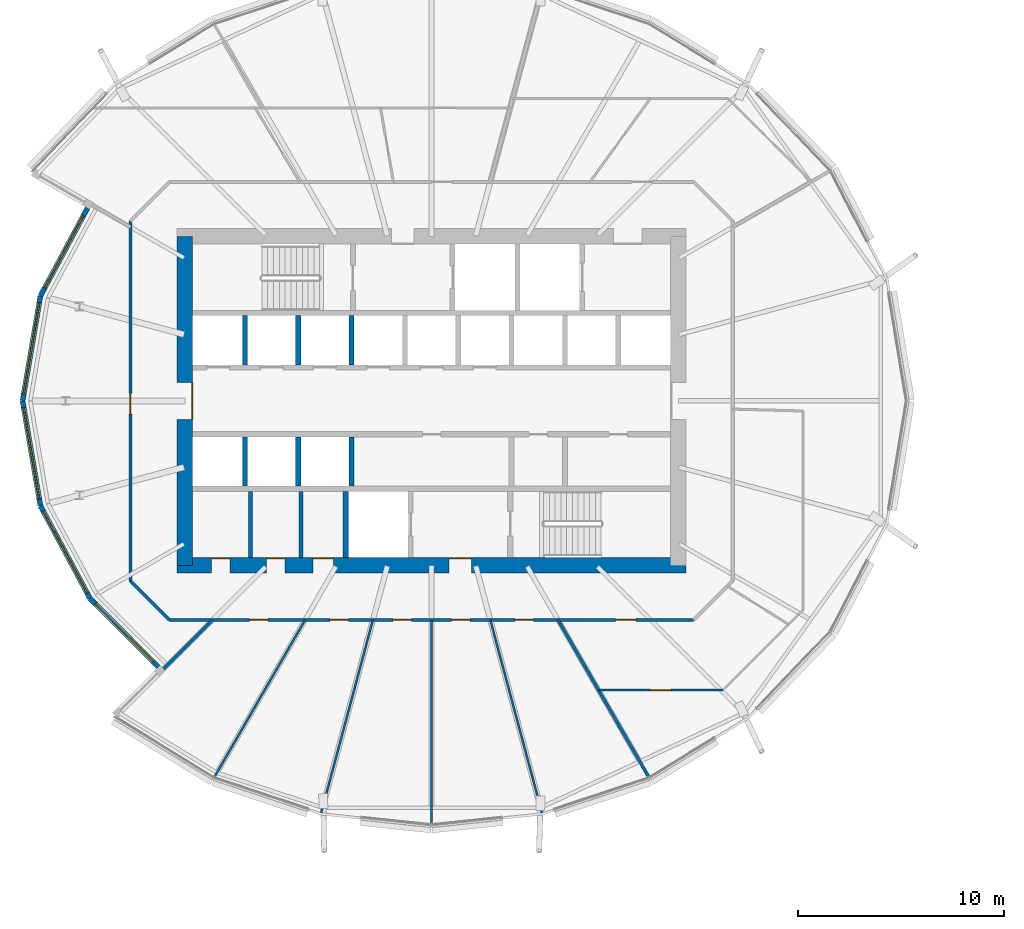
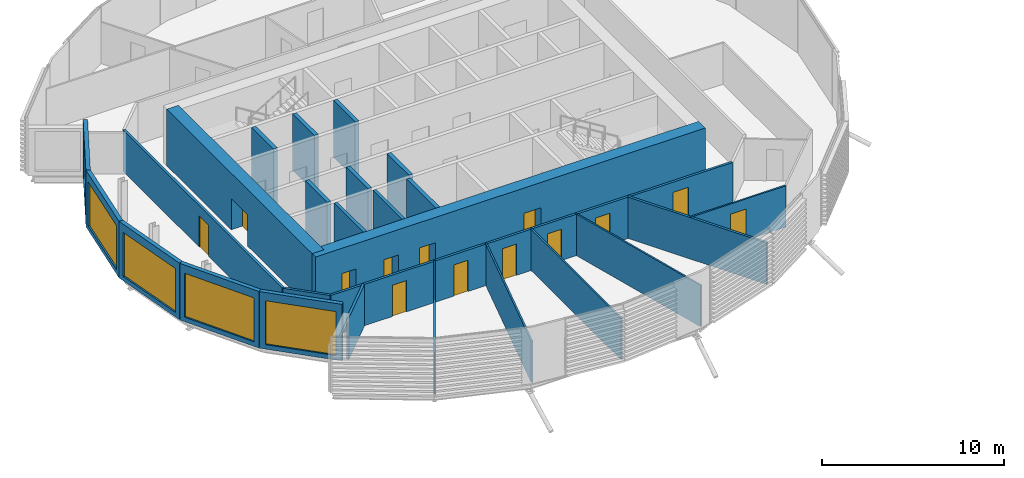
# One storey, part 20 of 38: 26 walls, 13 doors, 5 windows, 18 openings.
"""IFC4 building model written with IfcOpenShell, lengths in metres."""

from ifc_helpers import new_model, si_unit, direction, frame, frame_2d, origin, place, context, subcontext, project, spatial, rectangle, extrude, material, layer, layer_set, type_object, element, fill, save


model = new_model("IFC4")

# Units and contexts
model_context = context("Model", 3, precision=1e-05, world=origin(), true_north=direction((0.0, 1.0)))
body_context = subcontext(model_context, "Body", "Model", "MODEL_VIEW")
ifc_project = project(units=[si_unit("LENGTHUNIT", "METRE"), si_unit("AREAUNIT", "SQUARE_METRE"), si_unit("VOLUMEUNIT", "CUBIC_METRE"), si_unit("PLANEANGLEUNIT", "RADIAN"), si_unit("MASSUNIT", "GRAM", prefix="KILO")], contexts=[model_context])

# Site, building, storey
site_placement = place(None, origin())
site = spatial("IfcSite", under=ifc_project, at=site_placement, CompositionType="ELEMENT")
building_placement = place(site_placement, origin())
building = spatial("IfcBuilding", under=site, at=building_placement, Name="Rimbun Link Towers", CompositionType="ELEMENT")
storey_placement = place(building_placement, frame((0.0, 0.0, 119.60009765625)))
storey = spatial("IfcBuildingStorey", under=building, at=storey_placement, Name="L29", CompositionType="ELEMENT", Elevation=119.60009765625)

# Wall, opening, window
ifc_material_1 = material(Name="Dark enamelled glass spandrel on insulated aluminium backpan", Category="aluminium")
ifc_layer_1 = layer(ifc_material_1, 0.25)
ifc_layer_set_1 = layer_set([ifc_layer_1], Name="CS dark enamelled spandrel wall 250")
wall_type_1 = type_object("IfcWallType", Name="CS dark enamelled spandrel wall 250", PredefinedType="STANDARD", material=ifc_layer_set_1)
wall_1_placement = place(storey_placement, frame((-50.779541015625, 5.10791015625, 0.0), z_axis=(0.0, 0.0, 1.0), x_axis=(0.472277359542, 0.881449996122, 0.0)))
wall_1 = element("IfcWall", 1, at=wall_1_placement, inside=storey, type_object=wall_type_1, Name="Crease spandrel wall", PredefinedType="STANDARD", context=body_context, shape_type="SweptSolid", body=[
    extrude(rectangle(XDim=4.84375, YDim=0.25, at=frame_2d((2.421875, 0.0))), origin(), (0.0, 0.0, 1.0), 3.7998046875),
])
opening_1_placement = place(wall_1_placement, frame((0.421875, 0.0, 0.300048828125)))
opening_1 = element("IfcOpeningElement", 2, at=opening_1_placement, cuts=wall_1, Name="Opening WR40H295", PredefinedType="OPENING", context=body_context, shape_type="SweptSolid", body=[
    extrude(rectangle(XDim=4.0, YDim=2.949951171875, at=frame_2d((2.0, 1.47509765625))), frame((0.0, 0.135009765625, 0.0), z_axis=(0.0, -1.0, 0.0), x_axis=(1.0, 0.0, 0.0)), (0.0, 0.0, 1.0), 0.27001953125),
])
ifc_material_2 = material(Name="Aluminium framed fixed window, dark tinted low-e glass", Category="aluminium")
window_type_1 = type_object("IfcWindowType", Name="WR ribbon window 4000X2950", PartitioningType="SINGLE_PANEL", PredefinedType="WINDOW", material=ifc_material_2)
window_1_placement = place(opening_1_placement, origin())
window_1 = element("IfcWindow", 3, at=window_1_placement, inside=storey, type_object=window_type_1, Name="Crease ribbon window", OverallHeight=2.949951171875, OverallWidth=4.0, PartitioningType="SINGLE_PANEL", PredefinedType="WINDOW", context=body_context, shape_type="SweptSolid", body=[
    extrude(rectangle(XDim=4.0, YDim=2.949951171875, at=frame_2d((2.0, 1.47509765625))), frame((0.0, 0.030029296875, 0.0), z_axis=(0.0, -1.0, 0.0), x_axis=(1.0, 0.0, 0.0)), (0.0, 0.0, 1.0), 0.06005859375),
])
fill(opening_1, window_1)

wall_2_placement = place(storey_placement, frame((-51.647705078125, 0.0, 0.0), z_axis=(0.0, 0.0, 1.0), x_axis=(0.167561603855, 0.985861607384, 0.0)))
wall_2 = element("IfcWall", 4, at=wall_2_placement, inside=storey, type_object=wall_type_1, Name="Crease spandrel wall", PredefinedType="STANDARD", context=body_context, shape_type="SweptSolid", body=[
    extrude(rectangle(XDim=5.18115234375, YDim=0.25, at=frame_2d((2.590576171875, 0.0))), origin(), (0.0, 0.0, 1.0), 3.7998046875),
])
opening_2_placement = place(wall_2_placement, frame((0.340576171875, 0.0, 0.300048828125)))
opening_2 = element("IfcOpeningElement", 5, at=opening_2_placement, cuts=wall_2, Name="Opening WR45H295", PredefinedType="OPENING", context=body_context, shape_type="SweptSolid", body=[
    extrude(rectangle(XDim=4.5, YDim=2.949951171875, at=frame_2d((2.25, 1.47509765625))), frame((0.0, 0.135009765625, 0.0), z_axis=(0.0, -1.0, 0.0), x_axis=(1.0, 0.0, 0.0)), (0.0, 0.0, 1.0), 0.27001953125),
])
ifc_material_3 = material(Name="Aluminium framed fixed window, dark tinted low-e glass", Category="aluminium")
window_type_2 = type_object("IfcWindowType", Name="WR ribbon window 4500X2950", PartitioningType="SINGLE_PANEL", PredefinedType="WINDOW", material=ifc_material_3)
window_2_placement = place(opening_2_placement, origin())
window_2 = element("IfcWindow", 6, at=window_2_placement, inside=storey, type_object=window_type_2, Name="Crease ribbon window", OverallHeight=2.949951171875, OverallWidth=4.5, PartitioningType="SINGLE_PANEL", PredefinedType="WINDOW", context=body_context, shape_type="SweptSolid", body=[
    extrude(rectangle(XDim=4.5, YDim=2.949951171875, at=frame_2d((2.25, 1.47509765625))), frame((0.0, 0.030029296875, 0.0), z_axis=(0.0, -1.0, 0.0), x_axis=(1.0, 0.0, 0.0)), (0.0, 0.0, 1.0), 0.06005859375),
])
fill(opening_2, window_2)

wall_3_placement = place(storey_placement, frame((-50.779541015625, -5.10791015625, 0.0), z_axis=(0.0, 0.0, 1.0), x_axis=(-0.167561603855, 0.985861607384, 0.0)))
wall_3 = element("IfcWall", 7, at=wall_3_placement, inside=storey, type_object=wall_type_1, Name="Crease spandrel wall", PredefinedType="STANDARD", context=body_context, shape_type="SweptSolid", body=[
    extrude(rectangle(XDim=5.18115234375, YDim=0.25, at=frame_2d((2.590576171875, 0.0))), origin(), (0.0, 0.0, 1.0), 3.7998046875),
])
opening_3_placement = place(wall_3_placement, frame((0.340576171875, 0.0, 0.300048828125)))
opening_3 = element("IfcOpeningElement", 8, at=opening_3_placement, cuts=wall_3, Name="Opening WR45H295", PredefinedType="OPENING", context=body_context, shape_type="SweptSolid", body=[
    extrude(rectangle(XDim=4.5, YDim=2.949951171875, at=frame_2d((2.25, 1.47509765625))), frame((0.0, 0.135009765625, 0.0), z_axis=(0.0, -1.0, 0.0), x_axis=(1.0, 0.0, 0.0)), (0.0, 0.0, 1.0), 0.27001953125),
])
window_3_placement = place(opening_3_placement, origin())
window_3 = element("IfcWindow", 9, at=window_3_placement, inside=storey, type_object=window_type_2, Name="Crease ribbon window", OverallHeight=2.949951171875, OverallWidth=4.5, PartitioningType="SINGLE_PANEL", PredefinedType="WINDOW", context=body_context, shape_type="SweptSolid", body=[
    extrude(rectangle(XDim=4.5, YDim=2.949951171875, at=frame_2d((2.25, 1.47509765625))), frame((0.0, 0.030029296875, 0.0), z_axis=(0.0, -1.0, 0.0), x_axis=(1.0, 0.0, 0.0)), (0.0, 0.0, 1.0), 0.06005859375),
])
fill(opening_3, window_3)

wall_4_placement = place(storey_placement, frame((-48.3671875, -9.610595703125, 0.0), z_axis=(0.0, 0.0, 1.0), x_axis=(-0.472251916987, 0.881463627668, 0.0)))
wall_4 = element("IfcWall", 10, at=wall_4_placement, inside=storey, type_object=wall_type_1, Name="Crease spandrel wall", PredefinedType="STANDARD", context=body_context, shape_type="SweptSolid", body=[
    extrude(rectangle(XDim=5.108154296875, YDim=0.25, at=frame_2d((2.55419921875, 0.0))), origin(), (0.0, 0.0, 1.0), 3.7998046875),
])
opening_4_placement = place(wall_4_placement, frame((0.303955078125, 0.0, 0.300048828125)))
opening_4 = element("IfcOpeningElement", 11, at=opening_4_placement, cuts=wall_4, Name="Opening WR45H295", PredefinedType="OPENING", context=body_context, shape_type="SweptSolid", body=[
    extrude(rectangle(XDim=4.5, YDim=2.949951171875, at=frame_2d((2.25, 1.47509765625))), frame((0.0, 0.135009765625, 0.0), z_axis=(0.0, -1.0, 0.0), x_axis=(1.0, 0.0, 0.0)), (0.0, 0.0, 1.0), 0.27001953125),
])
window_4_placement = place(opening_4_placement, origin())
window_4 = element("IfcWindow", 12, at=window_4_placement, inside=storey, type_object=window_type_2, Name="Crease ribbon window", OverallHeight=2.949951171875, OverallWidth=4.5, PartitioningType="SINGLE_PANEL", PredefinedType="WINDOW", context=body_context, shape_type="SweptSolid", body=[
    extrude(rectangle(XDim=4.5, YDim=2.949951171875, at=frame_2d((2.25, 1.47509765625))), frame((0.0, 0.030029296875, 0.0), z_axis=(0.0, -1.0, 0.0), x_axis=(1.0, 0.0, 0.0)), (0.0, 0.0, 1.0), 0.06005859375),
])
fill(opening_4, window_4)

wall_5_placement = place(storey_placement, frame((-45.047119140625, -12.943359375, 0.0), z_axis=(0.0, 0.0, 1.0), x_axis=(-0.705756154821, 0.708454832669, 0.0)))
wall_5 = element("IfcWall", 13, at=wall_5_placement, inside=storey, type_object=wall_type_1, Name="Crease spandrel wall", PredefinedType="STANDARD", context=body_context, shape_type="SweptSolid", body=[
    extrude(rectangle(XDim=4.704345703125, YDim=0.25, at=frame_2d((2.35205078125, 0.0))), origin(), (0.0, 0.0, 1.0), 3.7998046875),
])
opening_5_placement = place(wall_5_placement, frame((0.352294921875, 0.0, 0.300048828125)))
opening_5 = element("IfcOpeningElement", 14, at=opening_5_placement, cuts=wall_5, Name="Opening WR40H295", PredefinedType="OPENING", context=body_context, shape_type="SweptSolid", body=[
    extrude(rectangle(XDim=4.0, YDim=2.949951171875, at=frame_2d((2.0, 1.47509765625))), frame((0.0, 0.135009765625, 0.0), z_axis=(0.0, -1.0, 0.0), x_axis=(1.0, 0.0, 0.0)), (0.0, 0.0, 1.0), 0.27001953125),
])
window_5_placement = place(opening_5_placement, origin())
window_5 = element("IfcWindow", 15, at=window_5_placement, inside=storey, type_object=window_type_1, Name="Crease ribbon window", OverallHeight=2.949951171875, OverallWidth=4.0, PartitioningType="SINGLE_PANEL", PredefinedType="WINDOW", context=body_context, shape_type="SweptSolid", body=[
    extrude(rectangle(XDim=4.0, YDim=2.949951171875, at=frame_2d((2.0, 1.47509765625))), frame((0.0, 0.030029296875, 0.0), z_axis=(0.0, -1.0, 0.0), x_axis=(1.0, 0.0, 0.0)), (0.0, 0.0, 1.0), 0.06005859375),
])
fill(opening_5, window_5)

# Walls
ifc_material_4 = material(Name="Masonry blockwork", Category="masonry")
ifc_layer_2 = layer(ifc_material_4, 0.199951171875)
ifc_layer_set_2 = layer_set([ifc_layer_2], Name="Core partition 200")
wall_type_2 = type_object("IfcWallType", Name="Core partition 200", PredefinedType="PARTITIONING", material=ifc_layer_set_2)
for number, where, z_axis, x_axis, name in (
    (16, (-40.550048828125, -4.39990234375, 0.0), (0.0, 0.0, 1.0), (0.0, -1.0, 0.0), "L29 T1 core wall C1"),
    (17, (-38.10009765625, -4.39990234375, 0.0), (0.0, 0.0, 1.0), (0.0, -1.0, 0.0), "L29 T1 core wall C2"),
):
    element("IfcWall", number, at=place(storey_placement, frame(where, z_axis=z_axis, x_axis=x_axis)), inside=storey, type_object=wall_type_2, Name=name, PredefinedType="PARTITIONING", context=body_context, shape_type="SweptSolid", body=[
        extrude(rectangle(XDim=3.22509765625, YDim=0.199951171875, at=frame_2d((1.612548828125, 0.0))), origin(), (0.0, 0.0, 1.0), 3.7998046875),
    ])

# Wall, openings, doors
ifc_material_5 = material(Name="Concrete C60/75", Category="concrete")
ifc_layer_3 = layer(ifc_material_5, 0.75)
ifc_layer_set_3 = layer_set([ifc_layer_3], Name="Core shear wall 750")
wall_type_3 = type_object("IfcWallType", Name="Core shear wall 750", PredefinedType="SHEAR", material=ifc_layer_set_3)
wall_6_placement = place(storey_placement, frame((-44.125, -8.0, 0.0), z_axis=(0.0, 0.0, 1.0), x_axis=(1.0, 0.0, 0.0)))
wall_6 = element("IfcWall", 18, at=wall_6_placement, inside=storey, type_object=wall_type_3, Name="L29 T1 core wall S", PredefinedType="SHEAR", context=body_context, shape_type="SweptSolid", body=[
    extrude(rectangle(XDim=24.75, YDim=0.75, at=frame_2d((12.375, 0.0))), origin(), (0.0, 0.0, 1.0), 3.7998046875),
])
opening_6_placement = place(wall_6_placement, frame((13.22509765625, 0.0, 0.0)))
opening_6 = element("IfcOpeningElement", 19, at=opening_6_placement, cuts=wall_6, Name="Opening C1DCF01S", PredefinedType="OPENING", context=body_context, shape_type="SweptSolid", body=[
    extrude(rectangle(XDim=1.10009765625, YDim=2.10009765625, at=frame_2d((0.550048828125, 1.050048828125))), frame((0.0, 0.385009765625, 0.0), z_axis=(0.0, -1.0, 0.0), x_axis=(1.0, 0.0, 0.0)), (0.0, 0.0, 1.0), 0.77001953125),
])
opening_7_placement = place(wall_6_placement, frame((1.66259765625, 0.0, 0.0)))
opening_7 = element("IfcOpeningElement", 20, at=opening_7_placement, cuts=wall_6, Name="Opening C1DWC02S", PredefinedType="OPENING", context=body_context, shape_type="SweptSolid", body=[
    extrude(rectangle(XDim=0.89990234375, YDim=2.10009765625, at=frame_2d((0.449951171875, 1.050048828125))), frame((0.0, 0.385009765625, 0.0), z_axis=(0.0, -1.0, 0.0), x_axis=(1.0, 0.0, 0.0)), (0.0, 0.0, 1.0), 0.77001953125),
])
opening_8_placement = place(wall_6_placement, frame((4.35009765625, 0.0, 0.0)))
opening_8 = element("IfcOpeningElement", 21, at=opening_8_placement, cuts=wall_6, Name="Opening C1DWC03S", PredefinedType="OPENING", context=body_context, shape_type="SweptSolid", body=[
    extrude(rectangle(XDim=0.89990234375, YDim=2.10009765625, at=frame_2d((0.449951171875, 1.050048828125))), frame((0.0, 0.385009765625, 0.0), z_axis=(0.0, -1.0, 0.0), x_axis=(1.0, 0.0, 0.0)), (0.0, 0.0, 1.0), 0.77001953125),
])
opening_9_placement = place(wall_6_placement, frame((6.60009765625, 0.0, 0.0)))
opening_9 = element("IfcOpeningElement", 22, at=opening_9_placement, cuts=wall_6, Name="Opening C1DAW04S", PredefinedType="OPENING", context=body_context, shape_type="SweptSolid", body=[
    extrude(rectangle(XDim=1.0, YDim=2.10009765625, at=frame_2d((0.5, 1.050048828125))), frame((0.0, 0.385009765625, 0.0), z_axis=(0.0, -1.0, 0.0), x_axis=(1.0, 0.0, 0.0)), (0.0, 0.0, 1.0), 0.77001953125),
])
ifc_material_6 = material(Name="Timber", Category="wood")
door_type_1 = type_object("IfcDoorType", Name="Accessible WC door", OperationType="SINGLE_SWING_LEFT", PredefinedType="DOOR", material=ifc_material_6)
door_1_placement = place(opening_9_placement, origin())
door_1 = element("IfcDoor", 23, at=door_1_placement, inside=storey, type_object=door_type_1, Name="L29 T1 accessible wc door", OperationType="SINGLE_SWING_RIGHT", OverallHeight=2.10009765625, OverallWidth=1.0, PredefinedType="DOOR", context=body_context, shape_type="SweptSolid", body=[
    extrude(rectangle(XDim=1.0, YDim=2.10009765625, at=frame_2d((0.5, 1.050048828125))), frame((0.0, 0.375, 0.0), z_axis=(0.0, -1.0, 0.0), x_axis=(1.0, 0.0, 0.0)), (0.0, 0.0, 1.0), 0.050048828125),
])
fill(opening_9, door_1)
ifc_material_7 = material(Name="Steel fire door set", Category="steel")
door_type_2 = type_object("IfcDoorType", Name="Core fire door single", OperationType="SINGLE_SWING_LEFT", PredefinedType="DOOR", material=ifc_material_7)
door_2_placement = place(opening_6_placement, origin())
door_2 = element("IfcDoor", 24, at=door_2_placement, inside=storey, type_object=door_type_2, Name="L29 T1 firefighting lobby s door", OperationType="SINGLE_SWING_LEFT", OverallHeight=2.10009765625, OverallWidth=1.10009765625, PredefinedType="DOOR", context=body_context, shape_type="SweptSolid", body=[
    extrude(rectangle(XDim=1.10009765625, YDim=2.10009765625, at=frame_2d((0.550048828125, 1.050048828125))), frame((0.0, 0.375, 0.0), z_axis=(0.0, -1.0, 0.0), x_axis=(1.0, 0.0, 0.0)), (0.0, 0.0, 1.0), 0.050048828125),
])
fill(opening_6, door_2)
ifc_material_8 = material(Name="Timber", Category="wood")
door_type_3 = type_object("IfcDoorType", Name="WC door", OperationType="SINGLE_SWING_LEFT", PredefinedType="DOOR", material=ifc_material_8)
door_3_placement = place(opening_7_placement, origin())
door_3 = element("IfcDoor", 25, at=door_3_placement, inside=storey, type_object=door_type_3, Name="L29 T1 male wc door", OperationType="SINGLE_SWING_RIGHT", OverallHeight=2.10009765625, OverallWidth=0.89990234375, PredefinedType="DOOR", context=body_context, shape_type="SweptSolid", body=[
    extrude(rectangle(XDim=0.89990234375, YDim=2.10009765625, at=frame_2d((0.449951171875, 1.050048828125))), frame((0.0, 0.375, 0.0), z_axis=(0.0, -1.0, 0.0), x_axis=(1.0, 0.0, 0.0)), (0.0, 0.0, 1.0), 0.050048828125),
])
fill(opening_7, door_3)
door_4_placement = place(opening_8_placement, origin())
door_4 = element("IfcDoor", 26, at=door_4_placement, inside=storey, type_object=door_type_3, Name="L29 T1 female wc door", OperationType="SINGLE_SWING_RIGHT", OverallHeight=2.10009765625, OverallWidth=0.89990234375, PredefinedType="DOOR", context=body_context, shape_type="SweptSolid", body=[
    extrude(rectangle(XDim=0.89990234375, YDim=2.10009765625, at=frame_2d((0.449951171875, 1.050048828125))), frame((0.0, 0.375, 0.0), z_axis=(0.0, -1.0, 0.0), x_axis=(1.0, 0.0, 0.0)), (0.0, 0.0, 1.0), 0.050048828125),
])
fill(opening_8, door_4)

# Wall, opening, door
wall_7_placement = place(storey_placement, frame((-43.75, -8.0, 0.0), z_axis=(0.0, 0.0, 1.0), x_axis=(0.0, 1.0, 0.0)))
wall_7 = element("IfcWall", 27, at=wall_7_placement, inside=storey, type_object=wall_type_3, Name="L29 T1 core wall W", PredefinedType="SHEAR", context=body_context, shape_type="SweptSolid", body=[
    extrude(rectangle(XDim=16.0, YDim=0.75, at=frame_2d((8.0, 0.0))), origin(), (0.0, 0.0, 1.0), 3.7998046875),
])
opening_10_placement = place(wall_7_placement, frame((7.10009765625, 0.0, 0.0)))
opening_10 = element("IfcOpeningElement", 28, at=opening_10_placement, cuts=wall_7, Name="Opening C1DCL01W", PredefinedType="OPENING", context=body_context, shape_type="SweptSolid", body=[
    extrude(rectangle(XDim=1.800048828125, YDim=2.10009765625, at=frame_2d((0.89990234375, 1.050048828125))), frame((0.0, 0.385009765625, 0.0), z_axis=(0.0, -1.0, 0.0), x_axis=(1.0, 0.0, 0.0)), (0.0, 0.0, 1.0), 0.77001953125),
])
ifc_material_9 = material(Name="Steel fire door set", Category="steel")
door_type_4 = type_object("IfcDoorType", Name="Core lobby door double", OperationType="DOUBLE_DOOR_SINGLE_SWING", PredefinedType="DOOR", material=ifc_material_9)
door_5_placement = place(opening_10_placement, origin())
door_5 = element("IfcDoor", 29, at=door_5_placement, inside=storey, type_object=door_type_4, Name="L29 T1 lift lobby door", OperationType="DOUBLE_DOOR_SINGLE_SWING", OverallHeight=2.10009765625, OverallWidth=1.800048828125, PredefinedType="DOOR", context=body_context, shape_type="SweptSolid", body=[
    extrude(rectangle(XDim=1.800048828125, YDim=2.10009765625, at=frame_2d((0.89990234375, 1.050048828125))), frame((0.0, -0.3251953125, 0.0), z_axis=(0.0, -1.0, 0.0), x_axis=(1.0, 0.0, 0.0)), (0.0, 0.0, 1.0), 0.050048828125),
])
fill(opening_10, door_5)

# Wall, openings, doors
ifc_material_10 = material(Name="Plasterboard on steel stud, mineral wool", Category="steel")
ifc_layer_4 = layer(ifc_material_10, 0.14990234375)
ifc_layer_set_4 = layer_set([ifc_layer_4], Name="Corridor wall EI 30 150 mm")
wall_type_4 = type_object("IfcWallType", Name="Corridor wall EI 30 150 mm", PredefinedType="PARTITIONING", material=ifc_layer_set_4)
wall_8_placement = place(storey_placement, frame((-18.998291015625, -10.64990234375, 0.0), z_axis=(0.0, 0.0, 1.0), x_axis=(-1.0, 0.0, 0.0)))
wall_8 = element("IfcWall", 30, at=wall_8_placement, inside=storey, type_object=wall_type_4, Name="Corridor wall EI 30 150 mm", PredefinedType="PARTITIONING", context=body_context, shape_type="SweptSolid", body=[
    extrude(rectangle(XDim=25.50341796875, YDim=0.14990234375, at=frame_2d((12.751708984375, 0.0))), origin(), (0.0, 0.0, 1.0), 2.77880859375),
])
opening_11_placement = place(wall_8_placement, frame((20.701171875, 0.0, 0.0)))
opening_11 = element("IfcOpeningElement", 31, at=opening_11_placement, cuts=wall_8, Name="Opening D02", PredefinedType="OPENING", context=body_context, shape_type="SweptSolid", body=[
    extrude(rectangle(XDim=0.89990234375, YDim=2.10009765625, at=frame_2d((0.449951171875, 1.050048828125))), frame((0.0, 0.0849609375, 0.0), z_axis=(0.0, -1.0, 0.0), x_axis=(1.0, 0.0, 0.0)), (0.0, 0.0, 1.0), 0.169921875),
])
opening_12_placement = place(wall_8_placement, frame((16.802978515625, 0.0, 0.0)))
opening_12 = element("IfcOpeningElement", 32, at=opening_12_placement, cuts=wall_8, Name="Opening D02", PredefinedType="OPENING", context=body_context, shape_type="SweptSolid", body=[
    extrude(rectangle(XDim=0.89990234375, YDim=2.10009765625, at=frame_2d((0.449951171875, 1.050048828125))), frame((0.0, 0.0849609375, 0.0), z_axis=(0.0, -1.0, 0.0), x_axis=(1.0, 0.0, 0.0)), (0.0, 0.0, 1.0), 0.169921875),
])
opening_13_placement = place(wall_8_placement, frame((13.728515625, 0.0, 0.0)))
opening_13 = element("IfcOpeningElement", 33, at=opening_13_placement, cuts=wall_8, Name="Opening D02", PredefinedType="OPENING", context=body_context, shape_type="SweptSolid", body=[
    extrude(rectangle(XDim=0.89990234375, YDim=2.10009765625, at=frame_2d((0.449951171875, 1.050048828125))), frame((0.0, 0.0849609375, 0.0), z_axis=(0.0, -1.0, 0.0), x_axis=(1.0, 0.0, 0.0)), (0.0, 0.0, 1.0), 0.169921875),
])
opening_14_placement = place(wall_8_placement, frame((10.875, 0.0, 0.0)))
opening_14 = element("IfcOpeningElement", 34, at=opening_14_placement, cuts=wall_8, Name="Opening D02", PredefinedType="OPENING", context=body_context, shape_type="SweptSolid", body=[
    extrude(rectangle(XDim=0.89990234375, YDim=2.10009765625, at=frame_2d((0.449951171875, 1.050048828125))), frame((0.0, 0.0849609375, 0.0), z_axis=(0.0, -1.0, 0.0), x_axis=(1.0, 0.0, 0.0)), (0.0, 0.0, 1.0), 0.169921875),
])
opening_15_placement = place(wall_8_placement, frame((7.800537109375, 0.0, 0.0)))
opening_15 = element("IfcOpeningElement", 35, at=opening_15_placement, cuts=wall_8, Name="Opening D02", PredefinedType="OPENING", context=body_context, shape_type="SweptSolid", body=[
    extrude(rectangle(XDim=0.89990234375, YDim=2.10009765625, at=frame_2d((0.449951171875, 1.050048828125))), frame((0.0, 0.0849609375, 0.0), z_axis=(0.0, -1.0, 0.0), x_axis=(1.0, 0.0, 0.0)), (0.0, 0.0, 1.0), 0.169921875),
])
opening_16_placement = place(wall_8_placement, frame((2.801513671875, 0.0, 0.0)))
opening_16 = element("IfcOpeningElement", 36, at=opening_16_placement, cuts=wall_8, Name="Opening D01", PredefinedType="OPENING", context=body_context, shape_type="SweptSolid", body=[
    extrude(rectangle(XDim=1.0, YDim=2.10009765625, at=frame_2d((0.5, 1.050048828125))), frame((0.0, 0.0849609375, 0.0), z_axis=(0.0, -1.0, 0.0), x_axis=(1.0, 0.0, 0.0)), (0.0, 0.0, 1.0), 0.169921875),
])
ifc_material_11 = material(Name="Fire-resisting timber door leaf", Category="wood")
door_type_5 = type_object("IfcDoorType", Name="Fire door FD30S 1000", OperationType="NOTDEFINED", PredefinedType="DOOR", material=ifc_material_11)
door_6_placement = place(opening_16_placement, origin())
door_6 = element("IfcDoor", 37, at=door_6_placement, inside=storey, type_object=door_type_5, Name="Fire door FD30S 1000 to Reception", OperationType="SINGLE_SWING_RIGHT", OverallHeight=2.10009765625, OverallWidth=1.0, PredefinedType="DOOR", context=body_context, shape_type="SweptSolid", body=[
    extrude(rectangle(XDim=1.0, YDim=2.10009765625, at=frame_2d((0.5, 1.050048828125))), frame((0.0, 0.02490234375, 0.0), z_axis=(0.0, -1.0, 0.0), x_axis=(1.0, 0.0, 0.0)), (0.0, 0.0, 1.0), 0.050048828125),
])
fill(opening_16, door_6)
ifc_material_12 = material(Name="Fire-resisting timber door leaf", Category="wood")
door_type_6 = type_object("IfcDoorType", Name="Fire door FD30S 900", OperationType="NOTDEFINED", PredefinedType="DOOR", material=ifc_material_12)
door_7_placement = place(opening_11_placement, origin())
door_7 = element("IfcDoor", 38, at=door_7_placement, inside=storey, type_object=door_type_6, Name="Fire door FD30S 900 to Cellular office", OperationType="SINGLE_SWING_LEFT", OverallHeight=2.10009765625, OverallWidth=0.89990234375, PredefinedType="DOOR", context=body_context, shape_type="SweptSolid", body=[
    extrude(rectangle(XDim=0.89990234375, YDim=2.10009765625, at=frame_2d((0.449951171875, 1.050048828125))), frame((0.0, 0.02490234375, 0.0), z_axis=(0.0, -1.0, 0.0), x_axis=(1.0, 0.0, 0.0)), (0.0, 0.0, 1.0), 0.050048828125),
])
fill(opening_11, door_7)
door_8_placement = place(opening_12_placement, origin())
door_8 = element("IfcDoor", 39, at=door_8_placement, inside=storey, type_object=door_type_6, Name="Fire door FD30S 900 to Cellular office", OperationType="SINGLE_SWING_RIGHT", OverallHeight=2.10009765625, OverallWidth=0.89990234375, PredefinedType="DOOR", context=body_context, shape_type="SweptSolid", body=[
    extrude(rectangle(XDim=0.89990234375, YDim=2.10009765625, at=frame_2d((0.449951171875, 1.050048828125))), frame((0.0, 0.02490234375, 0.0), z_axis=(0.0, -1.0, 0.0), x_axis=(1.0, 0.0, 0.0)), (0.0, 0.0, 1.0), 0.050048828125),
])
fill(opening_12, door_8)
door_9_placement = place(opening_13_placement, origin())
door_9 = element("IfcDoor", 40, at=door_9_placement, inside=storey, type_object=door_type_6, Name="Fire door FD30S 900 to Cellular office", OperationType="SINGLE_SWING_LEFT", OverallHeight=2.10009765625, OverallWidth=0.89990234375, PredefinedType="DOOR", context=body_context, shape_type="SweptSolid", body=[
    extrude(rectangle(XDim=0.89990234375, YDim=2.10009765625, at=frame_2d((0.449951171875, 1.050048828125))), frame((0.0, 0.02490234375, 0.0), z_axis=(0.0, -1.0, 0.0), x_axis=(1.0, 0.0, 0.0)), (0.0, 0.0, 1.0), 0.050048828125),
])
fill(opening_13, door_9)
door_10_placement = place(opening_14_placement, origin())
door_10 = element("IfcDoor", 41, at=door_10_placement, inside=storey, type_object=door_type_6, Name="Fire door FD30S 900 to Cellular office", OperationType="SINGLE_SWING_RIGHT", OverallHeight=2.10009765625, OverallWidth=0.89990234375, PredefinedType="DOOR", context=body_context, shape_type="SweptSolid", body=[
    extrude(rectangle(XDim=0.89990234375, YDim=2.10009765625, at=frame_2d((0.449951171875, 1.050048828125))), frame((0.0, 0.02490234375, 0.0), z_axis=(0.0, -1.0, 0.0), x_axis=(1.0, 0.0, 0.0)), (0.0, 0.0, 1.0), 0.050048828125),
])
fill(opening_14, door_10)
door_11_placement = place(opening_15_placement, origin())
door_11 = element("IfcDoor", 42, at=door_11_placement, inside=storey, type_object=door_type_6, Name="Fire door FD30S 900 to Meeting room", OperationType="SINGLE_SWING_LEFT", OverallHeight=2.10009765625, OverallWidth=0.89990234375, PredefinedType="DOOR", context=body_context, shape_type="SweptSolid", body=[
    extrude(rectangle(XDim=0.89990234375, YDim=2.10009765625, at=frame_2d((0.449951171875, 1.050048828125))), frame((0.0, 0.02490234375, 0.0), z_axis=(0.0, -1.0, 0.0), x_axis=(1.0, 0.0, 0.0)), (0.0, 0.0, 1.0), 0.050048828125),
])
fill(opening_15, door_11)

# Wall
wall_9_placement = place(storey_placement, frame((-46.39990234375, -8.751708984375, 0.0), z_axis=(0.0, 0.0, 1.0), x_axis=(0.707106781187, -0.707106781187, 0.0)))
element("IfcWall", 43, at=wall_9_placement, inside=storey, type_object=wall_type_4, Name="Corridor wall EI 30 150 mm", PredefinedType="PARTITIONING", context=body_context, shape_type="SweptSolid", body=[
    extrude(rectangle(XDim=2.6845703125, YDim=0.14990234375, at=frame_2d((1.34228515625, 0.0))), origin(), (0.0, 0.0, 1.0), 2.77880859375),
])

# Wall, opening, door
wall_10_placement = place(storey_placement, frame((-46.39990234375, -8.751708984375, 0.0), z_axis=(0.0, 0.0, 1.0), x_axis=(0.0, 1.0, 0.0)))
wall_10 = element("IfcWall", 44, at=wall_10_placement, inside=storey, type_object=wall_type_4, Name="Corridor wall EI 30 150 mm", PredefinedType="PARTITIONING", context=body_context, shape_type="SweptSolid", body=[
    extrude(rectangle(XDim=17.50341796875, YDim=0.14990234375, at=frame_2d((8.751708984375, 0.0))), origin(), (0.0, 0.0, 1.0), 2.77880859375),
])
opening_17_placement = place(wall_10_placement, frame((8.10498046875, 0.0, 0.0)))
opening_17 = element("IfcOpeningElement", 45, at=opening_17_placement, cuts=wall_10, Name="Opening D01", PredefinedType="OPENING", context=body_context, shape_type="SweptSolid", body=[
    extrude(rectangle(XDim=1.0, YDim=2.10009765625, at=frame_2d((0.5, 1.050048828125))), frame((0.0, 0.0849609375, 0.0), z_axis=(0.0, -1.0, 0.0), x_axis=(1.0, 0.0, 0.0)), (0.0, 0.0, 1.0), 0.169921875),
])
door_12_placement = place(opening_17_placement, origin())
door_12 = element("IfcDoor", 46, at=door_12_placement, inside=storey, type_object=door_type_5, Name="Fire door FD30S 1000 to Terrace office", OperationType="SINGLE_SWING_LEFT", OverallHeight=2.10009765625, OverallWidth=1.0, PredefinedType="DOOR", context=body_context, shape_type="SweptSolid", body=[
    extrude(rectangle(XDim=1.0, YDim=2.10009765625, at=frame_2d((0.5, 1.050048828125))), frame((0.0, 0.02490234375, 0.0), z_axis=(0.0, -1.0, 0.0), x_axis=(1.0, 0.0, 0.0)), (0.0, 0.0, 1.0), 0.050048828125),
])
fill(opening_17, door_12)

# Walls
ifc_material_13 = material(Name="Plasterboard on steel stud", Category="steel")
ifc_layer_5 = layer(ifc_material_13, 0.10009765625)
ifc_layer_set_5 = layer_set([ifc_layer_5], Name="Plasterboard partition 100 mm")
wall_type_5 = type_object("IfcWallType", Name="Plasterboard partition 100 mm", PredefinedType="PARTITIONING", material=ifc_layer_set_5)
wall_11_placement = place(storey_placement, frame((-42.321044921875, -18.3095703125, 0.0), z_axis=(0.0, 0.0, 1.0), x_axis=(0.500004402451, 0.866022862013, 0.0)))
element("IfcWall", 47, at=wall_11_placement, inside=storey, type_object=wall_type_5, Name="Plasterboard partition 100 mm", PredefinedType="PARTITIONING", context=body_context, shape_type="SweptSolid", body=[
    extrude(rectangle(XDim=8.8447265625, YDim=0.10009765625, at=frame_2d((4.42236328125, 0.0))), origin(), (0.0, 0.0, 1.0), 2.77880859375),
])
wall_12_placement = place(storey_placement, frame((-37.117919921875, -20.03369140625, 0.0), z_axis=(0.0, 0.0, 1.0), x_axis=(0.258798055813, 0.965931450108, 0.0)))
element("IfcWall", 48, at=wall_12_placement, inside=storey, type_object=wall_type_5, Name="Plasterboard partition 100 mm", PredefinedType="PARTITIONING", context=body_context, shape_type="SweptSolid", body=[
    extrude(rectangle(XDim=9.71484375, YDim=0.10009765625, at=frame_2d((4.857421875, 0.0))), origin(), (0.0, 0.0, 1.0), 2.77880859375),
])
wall_13_placement = place(storey_placement, frame((-31.75, -20.59912109375, 0.0), z_axis=(0.0, 0.0, 1.0), x_axis=(0.0, 1.0, 0.0)))
element("IfcWall", 49, at=wall_13_placement, inside=storey, type_object=wall_type_5, Name="Plasterboard partition 100 mm", PredefinedType="PARTITIONING", context=body_context, shape_type="SweptSolid", body=[
    extrude(rectangle(XDim=9.94921875, YDim=0.10009765625, at=frame_2d((4.974609375, 0.0))), origin(), (0.0, 0.0, 1.0), 2.77880859375),
])
wall_14_placement = place(storey_placement, frame((-26.382080078125, -20.03369140625, 0.0), z_axis=(0.0, 0.0, 1.0), x_axis=(-0.258798055813, 0.965931450108, 0.0)))
element("IfcWall", 50, at=wall_14_placement, inside=storey, type_object=wall_type_5, Name="Plasterboard partition 100 mm", PredefinedType="PARTITIONING", context=body_context, shape_type="SweptSolid", body=[
    extrude(rectangle(XDim=9.71484375, YDim=0.10009765625, at=frame_2d((4.857421875, 0.0))), origin(), (0.0, 0.0, 1.0), 2.77880859375),
])

# Wall, opening, door
wall_15_placement = place(storey_placement, frame((-17.581787109375, -14.070068359375, 0.0), z_axis=(0.0, 0.0, 1.0), x_axis=(-1.0, 0.0, 0.0)))
wall_15 = element("IfcWall", 51, at=wall_15_placement, inside=storey, type_object=wall_type_5, Name="Plasterboard partition 100 mm", PredefinedType="PARTITIONING", context=body_context, shape_type="SweptSolid", body=[
    extrude(rectangle(XDim=6.044921875, YDim=0.10009765625, at=frame_2d((3.0224609375, 0.0))), origin(), (0.0, 0.0, 1.0), 2.77880859375),
])
opening_18_placement = place(wall_15_placement, frame((2.5224609375, 0.0, 0.0)))
opening_18 = element("IfcOpeningElement", 52, at=opening_18_placement, cuts=wall_15, Name="Opening D03", PredefinedType="OPENING", context=body_context, shape_type="SweptSolid", body=[
    extrude(rectangle(XDim=1.0, YDim=2.10009765625, at=frame_2d((0.5, 1.050048828125))), frame((0.0, 0.06005859375, 0.0), z_axis=(0.0, -1.0, 0.0), x_axis=(1.0, 0.0, 0.0)), (0.0, 0.0, 1.0), 0.1201171875),
])
ifc_material_14 = material(Name="Timber door leaf", Category="wood")
door_type_7 = type_object("IfcDoorType", Name="Flush door 1000", OperationType="NOTDEFINED", PredefinedType="DOOR", material=ifc_material_14)
door_13_placement = place(opening_18_placement, origin())
door_13 = element("IfcDoor", 53, at=door_13_placement, inside=storey, type_object=door_type_7, Name="Flush door 1000 to Open office", OperationType="SINGLE_SWING_LEFT", OverallHeight=2.10009765625, OverallWidth=1.0, PredefinedType="DOOR", context=body_context, shape_type="SweptSolid", body=[
    extrude(rectangle(XDim=1.0, YDim=2.10009765625, at=frame_2d((0.5, 1.050048828125))), frame((0.0, 0.02490234375, 0.0), z_axis=(0.0, -1.0, 0.0), x_axis=(1.0, 0.0, 0.0)), (0.0, 0.0, 1.0), 0.050048828125),
])
fill(opening_18, door_13)

# Walls
ifc_material_15 = material(Name="Concrete C60/75", Category="concrete")
ifc_layer_6 = layer(ifc_material_15, 0.25)
ifc_layer_set_6 = layer_set([ifc_layer_6], Name="Shaft wall 250")
wall_type_6 = type_object("IfcWallType", Name="Shaft wall 250", PredefinedType="SHEAR", material=ifc_layer_set_6)
for number, where, z_axis, x_axis, name in (
    (54, (-40.83056640625, 1.75, 0.0), (0.0, 0.0, 1.0), (0.0, 1.0, 0.0), "L29 T1 core wall DN0"),
    (55, (-38.236083984375, 1.75, 0.0), (0.0, 0.0, 1.0), (0.0, 1.0, 0.0), "L29 T1 core wall DN1"),
    (56, (-35.6416015625, 1.75, 0.0), (0.0, 0.0, 1.0), (0.0, 1.0, 0.0), "L29 T1 core wall DN2"),
    (57, (-40.83056640625, -4.14990234375, 0.0), (0.0, 0.0, 1.0), (0.0, 1.0, 0.0), "L29 T1 core wall DS0"),
    (58, (-38.236083984375, -4.14990234375, 0.0), (0.0, 0.0, 1.0), (0.0, 1.0, 0.0), "L29 T1 core wall DS1"),
    (59, (-35.6416015625, -4.14990234375, 0.0), (0.0, 0.0, 1.0), (0.0, 1.0, 0.0), "L29 T1 core wall DS2"),
):
    element("IfcWall", number, at=place(storey_placement, frame(where, z_axis=z_axis, x_axis=x_axis)), inside=storey, type_object=wall_type_6, Name=name, PredefinedType="SHEAR", context=body_context, shape_type="SweptSolid", body=[
        extrude(rectangle(XDim=2.39990234375, YDim=0.25, at=frame_2d((1.199951171875, 0.0))), origin(), (0.0, 0.0, 1.0), 3.7998046875),
    ])
wall_16_placement = place(storey_placement, frame((-35.925048828125, -4.39990234375, 0.0), z_axis=(0.0, 0.0, 1.0), x_axis=(0.0, -1.0, 0.0)))
element("IfcWall", 60, at=wall_16_placement, inside=storey, type_object=wall_type_6, Name="L29 T1 core wall B3", PredefinedType="SHEAR", context=body_context, shape_type="SweptSolid", body=[
    extrude(rectangle(XDim=3.22509765625, YDim=0.25, at=frame_2d((1.612548828125, 0.0))), origin(), (0.0, 0.0, 1.0), 3.7998046875),
])
ifc_material_16 = material(Name="Plasterboard on steel stud, mineral wool", Category="steel")
ifc_layer_7 = layer(ifc_material_16, 0.14990234375)
ifc_layer_set_7 = layer_set([ifc_layer_7], Name="Tenancy separation wall EI 60 150 mm")
wall_type_7 = type_object("IfcWallType", Name="Tenancy separation wall EI 60 150 mm", PredefinedType="PARTITIONING", material=ifc_layer_set_7)
wall_17_placement = place(storey_placement, frame((-42.39990234375, -10.64990234375, 0.0), z_axis=(0.0, 0.0, 1.0), x_axis=(-0.707106781187, -0.707106781187, 0.0)))
element("IfcWall", 61, at=wall_17_placement, inside=storey, type_object=wall_type_7, Name="Tenancy separation wall EI 60 150 mm", PredefinedType="PARTITIONING", context=body_context, shape_type="SweptSolid", body=[
    extrude(rectangle(XDim=3.369140625, YDim=0.14990234375, at=frame_2d((1.6845703125, 0.0))), origin(), (0.0, 0.0, 1.0), 2.77880859375),
])
wall_18_placement = place(storey_placement, frame((-25.601318359375, -10.64990234375, 0.0), z_axis=(0.0, 0.0, 1.0), x_axis=(0.500004402451, -0.866022862013, 0.0)))
element("IfcWall", 62, at=wall_18_placement, inside=storey, type_object=wall_type_7, Name="Tenancy separation wall EI 60 150 mm", PredefinedType="PARTITIONING", context=body_context, shape_type="SweptSolid", body=[
    extrude(rectangle(XDim=8.8447265625, YDim=0.14990234375, at=frame_2d((4.42236328125, 0.0))), origin(), (0.0, 0.0, 1.0), 2.77880859375),
])

save(model, "model.ifc")
